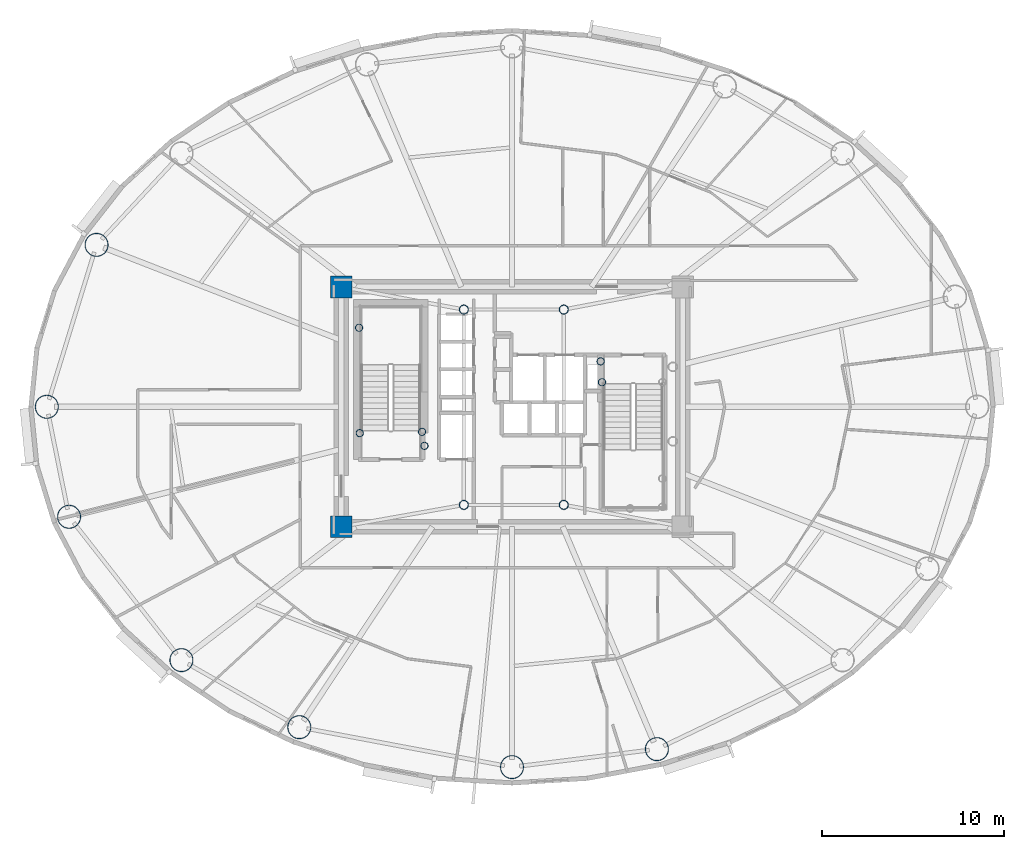
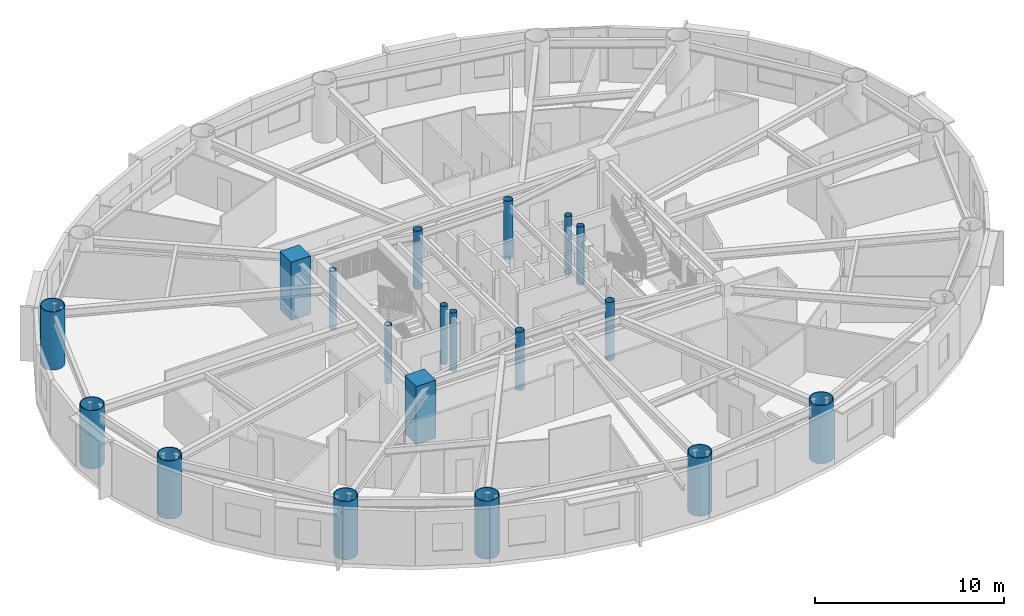
# One storey, part 1 of 17: 19 columns.
"""IFC4 building model written with IfcOpenShell, lengths in metres."""

from ifc_helpers import new_model, si_unit, direction, frame, origin, origin_2d, place, context, subcontext, project, spatial, rectangle, hollow_circle, extrude, material, material_profile, profile_set, type_object, element, save


model = new_model("IFC4")

# Units and contexts
model_context = context("Model", 3, precision=1e-05, world=origin(), true_north=direction((0.0, 1.0)))
body_context = subcontext(model_context, "Body", "Model", "MODEL_VIEW")
ifc_project = project(units=[si_unit("LENGTHUNIT", "METRE"), si_unit("AREAUNIT", "SQUARE_METRE"), si_unit("VOLUMEUNIT", "CUBIC_METRE"), si_unit("PLANEANGLEUNIT", "RADIAN"), si_unit("MASSUNIT", "GRAM", prefix="KILO")], contexts=[model_context])

# Site, building, storey
site_placement = place(None, origin())
site = spatial("IfcSite", under=ifc_project, at=site_placement, CompositionType="ELEMENT")
building_placement = place(site_placement, origin())
building = spatial("IfcBuilding", under=site, at=building_placement, Name="Linh Dai School and Residence Tower", CompositionType="ELEMENT")
storey_placement = place(building_placement, frame((0.0, 0.0, 197.39990234375)))
storey = spatial("IfcBuildingStorey", under=building, at=storey_placement, Name="L48", CompositionType="ELEMENT", Elevation=197.39990234375)

# Columns
ifc_material_1 = material(Name="Concrete B60 (C50/60)", Category="concrete")
ifc_material_profile_1 = material_profile(ifc_material_1, rectangle(XDim=1.199951171875, YDim=1.199951171875, at=origin_2d()), Name="RC 1200x1200")
ifc_profile_set_1 = profile_set([ifc_material_profile_1], Name="Concrete B60 (C50/60)")
column_type_1 = type_object("IfcColumnType", Name="COL-CC2", PredefinedType="COLUMN", material=ifc_profile_set_1)
for number, where, z_axis, x_axis, name in (
    (1, (26.60009765625, 20.39990234375, 0.0), (0.0, 0.0, 1.0), (1.0, 0.0, 0.0), "L48 Core Corner Pier CC1"),
    (2, (26.60009765625, 33.60009765625, 0.0), (0.0, 0.0, 1.0), (1.0, 0.0, 0.0), "L48 Core Corner Pier CC4"),
):
    element("IfcColumn", number, at=place(storey_placement, frame(where, z_axis=z_axis, x_axis=x_axis)), inside=storey, type_object=column_type_1, Name=name, PredefinedType="COLUMN", context=body_context, shape_type="SweptSolid", body=[
        extrude(rectangle(XDim=1.199951171875, YDim=1.199951171875, at=origin_2d()), origin(), (0.0, 0.0, 1.0), 3.75),
    ])
ifc_material_2 = material(Name="Structural Steel S355JR", Category="steel")
ifc_material_profile_2 = material_profile(ifc_material_2, hollow_circle(Radius=0.203125, WallThickness=0.01611328125, at=origin_2d()), Name="CHS 406.4x16")
ifc_profile_set_2 = profile_set([ifc_material_profile_2], Name="Structural Steel S355JR")
column_type_2 = type_object("IfcColumnType", Name="COL-EC", PredefinedType="COLUMN", material=ifc_profile_set_2)
for number, where, z_axis, x_axis, name in (
    (3, (27.580078125, 31.35009765625, 0.0), (0.0, 0.0, 1.0), (1.0, 0.0, 0.0), "L48 Stair Shaft Landing Support Pier ST1NW"),
    (4, (31.050048828125, 25.6201171875, 0.0), (0.0, 0.0, 1.0), (1.0, 0.0, 0.0), "L48 Stair Shaft Landing Support Pier ST1SE"),
    (5, (31.179931640625, 24.85009765625, 0.0), (0.0, 0.0, 1.0), (1.0, 0.0, 0.0), "L48 Stair Shaft Landing Support Pier ST1SM"),
    (6, (27.6201171875, 25.550048828125, 0.0), (0.0, 0.0, 1.0), (1.0, 0.0, 0.0), "L48 Stair Shaft Landing Support Pier ST1SW"),
    (7, (40.949951171875, 28.35009765625, 0.0), (0.0, 0.0, 1.0), (1.0, 0.0, 0.0), "L48 Stair Shaft Landing Support Pier ST2N1"),
    (8, (40.8798828125, 29.5, 0.0), (0.0, 0.0, 1.0), (1.0, 0.0, 0.0), "L48 Stair Shaft Landing Support Pier ST2N3"),
):
    element("IfcColumn", number, at=place(storey_placement, frame(where, z_axis=z_axis, x_axis=x_axis)), inside=storey, type_object=column_type_2, Name=name, PredefinedType="COLUMN", context=body_context, shape_type="SweptSolid", body=[
        extrude(hollow_circle(Radius=0.203125, WallThickness=0.01611328125, at=origin_2d()), origin(), (0.0, 0.0, 1.0), 3.75),
    ])
ifc_material_profile_3 = material_profile(ifc_material_2, hollow_circle(Radius=0.64990234375, WallThickness=0.0400390625, at=origin_2d()), Name="CHS 1300x40")
ifc_profile_set_3 = profile_set([ifc_material_profile_3], Name="Structural Steel S355JR")
column_type_3 = type_object("IfcColumnType", Name="COL-MC4", PredefinedType="COLUMN", material=ifc_profile_set_3)
for number, where, z_axis, x_axis, name in (
    (9, (13.137451171875, 35.9111328125, 0.0), (0.0, 0.0, 1.0), (1.0, 0.0, 0.0), "L48 Perimeter CFT Mega-Column MC08"),
    (10, (10.39990234375, 27.0, 0.0), (0.0, 0.0, 1.0), (1.0, 0.0, 0.0), "L48 Perimeter CFT Mega-Column MC09"),
    (11, (11.62548828125, 20.946533203125, 0.0), (0.0, 0.0, 1.0), (1.0, 0.0, 0.0), "L48 Perimeter CFT Mega-Column MC10"),
    (12, (17.8076171875, 13.058349609375, 0.0), (0.0, 0.0, 1.0), (1.0, 0.0, 0.0), "L48 Perimeter CFT Mega-Column MC11"),
    (13, (24.29443359375, 9.369140625, 0.0), (0.0, 0.0, 1.0), (1.0, 0.0, 0.0), "L48 Perimeter CFT Mega-Column MC12"),
    (14, (36.0, 7.169921875, 0.0), (0.0, 0.0, 1.0), (1.0, 0.0, 0.0), "L48 Perimeter CFT Mega-Column MC13"),
    (15, (43.973388671875, 8.15869140625, 0.0), (0.0, 0.0, 1.0), (1.0, 0.0, 0.0), "L48 Perimeter CFT Mega-Column MC14"),
):
    element("IfcColumn", number, at=place(storey_placement, frame(where, z_axis=z_axis, x_axis=x_axis)), inside=storey, type_object=column_type_3, Name=name, PredefinedType="COLUMN", context=body_context, shape_type="SweptSolid", body=[
        extrude(hollow_circle(Radius=0.64990234375, WallThickness=0.0400390625, at=origin_2d()), origin(), (0.0, 0.0, 1.0), 3.75),
    ])
ifc_material_profile_4 = material_profile(ifc_material_2, hollow_circle(Radius=0.25390625, WallThickness=0.02001953125, at=origin_2d()), Name="CHS 508x20")
ifc_profile_set_4 = profile_set([ifc_material_profile_4], Name="Structural Steel S355JR")
column_type_4 = type_object("IfcColumnType", Name="COL-MCP", PredefinedType="COLUMN", material=ifc_profile_set_4)
for number, where, z_axis, x_axis, name in (
    (16, (33.35009765625, 21.60009765625, 0.0), (0.0, 0.0, 1.0), (1.0, 0.0, 0.0), "L48 Core Mast Support Pier MCP1"),
    (17, (38.85009765625, 21.60009765625, 0.0), (0.0, 0.0, 1.0), (1.0, 0.0, 0.0), "L48 Core Mast Support Pier MCP2"),
    (18, (38.85009765625, 32.35009765625, 0.0), (0.0, 0.0, 1.0), (1.0, 0.0, 0.0), "L48 Core Mast Support Pier MCP3"),
    (19, (33.35009765625, 32.35009765625, 0.0), (0.0, 0.0, 1.0), (1.0, 0.0, 0.0), "L48 Core Mast Support Pier MCP4"),
):
    element("IfcColumn", number, at=place(storey_placement, frame(where, z_axis=z_axis, x_axis=x_axis)), inside=storey, type_object=column_type_4, Name=name, PredefinedType="COLUMN", context=body_context, shape_type="SweptSolid", body=[
        extrude(hollow_circle(Radius=0.25390625, WallThickness=0.02001953125, at=origin_2d()), origin(), (0.0, 0.0, 1.0), 3.75),
    ])

save(model, "model.ifc")
